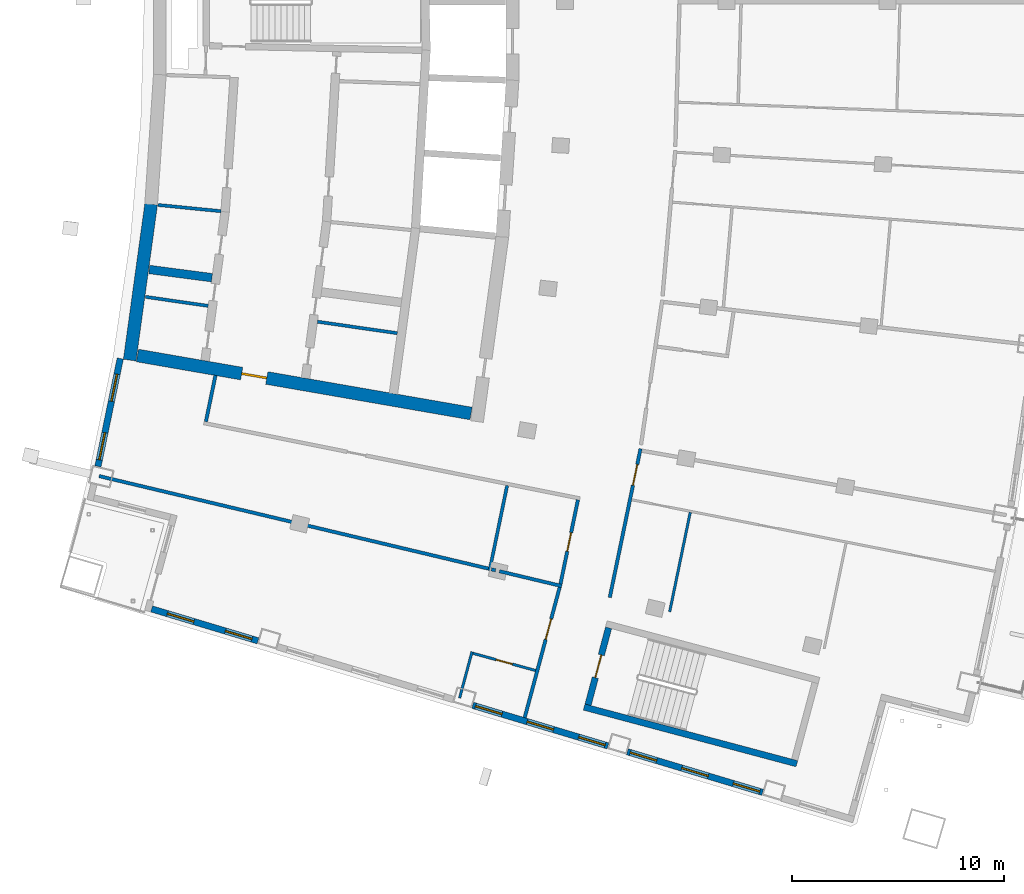
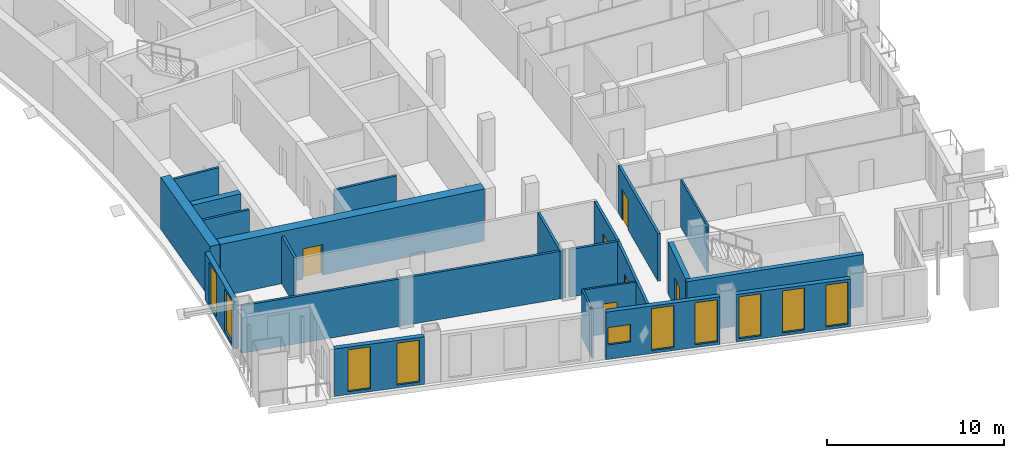
# One storey, part 9 of 19: 23 walls, 10 windows, 6 doors, 16 openings.
"""IFC4 building model written with IfcOpenShell, lengths in metres."""

from ifc_helpers import new_model, si_unit, direction, frame, frame_2d, origin, place, context, subcontext, project, spatial, rectangle, extrude, material, layer, layer_set, type_object, element, fill, save


model = new_model("IFC4")

# Units and contexts
model_context = context("Model", 3, precision=1e-05, world=origin(), true_north=direction((0.0, 1.0)))
body_context = subcontext(model_context, "Body", "Model", "MODEL_VIEW")
ifc_project = project(units=[si_unit("LENGTHUNIT", "METRE"), si_unit("AREAUNIT", "SQUARE_METRE"), si_unit("VOLUMEUNIT", "CUBIC_METRE"), si_unit("PLANEANGLEUNIT", "RADIAN"), si_unit("MASSUNIT", "GRAM", prefix="KILO")], contexts=[model_context])

# Site, building, storey
site_placement = place(None, origin())
site = spatial("IfcSite", under=ifc_project, at=site_placement, CompositionType="ELEMENT")
building_placement = place(site_placement, origin())
building = spatial("IfcBuilding", under=site, at=building_placement, Name="Alderwake Tower", CompositionType="ELEMENT")
storey_placement = place(building_placement, frame((0.0, 0.0, 196.39990234375)))
storey = spatial("IfcBuildingStorey", under=building, at=storey_placement, Name="L48", CompositionType="ELEMENT", Elevation=196.39990234375)

# Walls
ifc_material_1 = material(Name="Gypsum shaft wall system, rated")
ifc_layer_1 = layer(ifc_material_1, 0.14990234375)
ifc_layer_set_1 = layer_set([ifc_layer_1], Name="Core room partition 150")
wall_type_1 = type_object("IfcWallType", Name="Core room partition 150", PredefinedType="PARTITIONING", material=ifc_layer_set_1)
wall_1_placement = place(storey_placement, frame((16.064453125, 47.125, 0.0), z_axis=(0.0, 0.0, 1.0), x_axis=(0.989723849993, -0.142991960454, 0.0)))
element("IfcWall", 1, at=wall_1_placement, inside=storey, type_object=wall_type_1, Name="CW/L48/PR-150_+0", PredefinedType="PARTITIONING", context=body_context, shape_type="SweptSolid", body=[
    extrude(rectangle(XDim=2.98095703125, YDim=0.14990234375, at=frame_2d((1.490478515625, 0.0))), origin(), (0.0, 0.0, 1.0), 3.280029296875),
])
wall_2_placement = place(storey_placement, frame((24.158203125, 45.9560546875, 0.0), z_axis=(0.0, 0.0, 1.0), x_axis=(0.989724412664, -0.142988065858, 0.0)))
element("IfcWall", 2, at=wall_2_placement, inside=storey, type_object=wall_type_1, Name="CW/L48/PR-150_+86", PredefinedType="PARTITIONING", context=body_context, shape_type="SweptSolid", body=[
    extrude(rectangle(XDim=3.795654296875, YDim=0.14990234375, at=frame_2d((1.89794921875, 0.0))), origin(), (0.0, 0.0, 1.0), 3.280029296875),
])
wall_3_placement = place(storey_placement, frame((16.659423828125, 51.448486328125, 0.0), z_axis=(0.0, 0.0, 1.0), x_axis=(0.995154514796, -0.098323403527, 0.0)))
element("IfcWall", 3, at=wall_3_placement, inside=storey, type_object=wall_type_1, Name="CW/L48/PR-103_+0", PredefinedType="PARTITIONING", context=body_context, shape_type="SweptSolid", body=[
    extrude(rectangle(XDim=2.9697265625, YDim=0.14990234375, at=frame_2d((1.48486328125, 0.0))), origin(), (0.0, 0.0, 1.0), 3.280029296875),
])
ifc_material_2 = material(Name="Concrete C70/85", Category="concrete")
ifc_layer_2 = layer(ifc_material_2, 0.60009765625)
ifc_layer_set_2 = layer_set([ifc_layer_2], Name="Core wall outer 600 C70-85")
wall_type_2 = type_object("IfcWallType", Name="Core wall outer 600 C70-85", PredefinedType="SHEAR", material=ifc_layer_set_2)
wall_4_placement = place(storey_placement, frame((15.321533203125, 44.146240234375, 0.0), z_axis=(0.0, 0.0, 1.0), x_axis=(0.136316498814, 0.990665338119, 0.0)))
element("IfcWall", 4, at=wall_4_placement, inside=storey, type_object=wall_type_2, Name="Core wall CW.037", PredefinedType="SHEAR", context=body_context, shape_type="SweptSolid", body=[
    extrude(rectangle(XDim=7.41455078125, YDim=0.60009765625, at=frame_2d((3.707275390625, 0.0))), origin(), (0.0, 0.0, 1.0), 3.60009765625),
])

# Wall, opening, door
wall_5_placement = place(storey_placement, frame((31.386962890625, 41.63525390625, 0.0), z_axis=(0.0, 0.0, 1.0), x_axis=(-0.985223108003, 0.171275881127, 0.0)))
wall_5 = element("IfcWall", 5, at=wall_5_placement, inside=storey, type_object=wall_type_2, Name="Core wall CW.072", PredefinedType="SHEAR", context=body_context, shape_type="SweptSolid", body=[
    extrude(rectangle(XDim=15.937744140625, YDim=0.60009765625, at=frame_2d((7.96875, 0.0))), origin(), (0.0, 0.0, 1.0), 3.60009765625),
])
opening_1_placement = place(wall_5_placement, frame((9.757568359375, 0.0, 0.0)))
opening_1 = element("IfcOpeningElement", 6, at=opening_1_placement, cuts=wall_5, Name="Opening C003", PredefinedType="OPENING", context=body_context, shape_type="SweptSolid", body=[
    extrude(rectangle(XDim=1.199951171875, YDim=2.10009765625, at=frame_2d((0.60009765625, 1.050048828125))), frame((0.0, 0.31005859375, 0.0), z_axis=(0.0, -1.0, 0.0), x_axis=(1.0, 0.0, 0.0)), (0.0, 0.0, 1.0), 0.6201171875),
])
ifc_material_3 = material(Name="Steel-framed fire door leaf", Category="steel")
door_type_1 = type_object("IfcDoorType", Name="Core lobby exit door 1200 fire-rated", OperationType="SINGLE_SWING_LEFT", PredefinedType="DOOR", material=ifc_material_3)
door_1_placement = place(opening_1_placement, origin())
door_1 = element("IfcDoor", 7, at=door_1_placement, inside=storey, type_object=door_type_1, Name="Lobby door", OperationType="SINGLE_SWING_LEFT", OverallHeight=2.10009765625, OverallWidth=1.199951171875, PredefinedType="DOOR", context=body_context, shape_type="SweptSolid", body=[
    extrude(rectangle(XDim=1.199951171875, YDim=2.10009765625, at=frame_2d((0.60009765625, 1.050048828125))), frame((0.0, 0.050048828125, 0.0), z_axis=(0.0, -1.0, 0.0), x_axis=(1.0, 0.0, 0.0)), (0.0, 0.0, 1.0), 0.10009765625),
])
fill(opening_1, door_1)

# Walls
ifc_material_4 = material(Name="Concrete C70/85", Category="concrete")
ifc_layer_3 = layer(ifc_material_4, 0.39990234375)
ifc_layer_set_3 = layer_set([ifc_layer_3], Name="Core wall spine 400 C70-85")
wall_type_3 = type_object("IfcWallType", Name="Core wall spine 400 C70-85", PredefinedType="SHEAR", material=ifc_layer_set_3)
wall_6_placement = place(storey_placement, frame((16.24169921875, 48.412353515625, 0.0), z_axis=(0.0, 0.0, 1.0), x_axis=(0.991548658387, -0.129735338481, 0.0)))
element("IfcWall", 8, at=wall_6_placement, inside=storey, type_object=wall_type_3, Name="Core wall CW.067", PredefinedType="SHEAR", context=body_context, shape_type="SweptSolid", body=[
    extrude(rectangle(XDim=2.97705078125, YDim=0.39990234375, at=frame_2d((1.488525390625, 0.0))), origin(), (0.0, 0.0, 1.0), 3.60009765625),
])
ifc_material_5 = material(Name="Concrete C70/85", Category="concrete")
ifc_layer_4 = layer(ifc_material_5, 0.300048828125)
ifc_layer_set_4 = layer_set([ifc_layer_4], Name="Core wall stair enclosure 300 C70-85")
wall_type_4 = type_object("IfcWallType", Name="Core wall stair enclosure 300 C70-85", PredefinedType="SHEAR", material=ifc_layer_set_4)
wall_7_placement = place(storey_placement, frame((36.71142578125, 27.817626953125, 0.0), z_axis=(0.0, 0.0, 1.0), x_axis=(0.966309214305, -0.257383958996, 0.0)))
element("IfcWall", 9, at=wall_7_placement, inside=storey, type_object=wall_type_4, Name="Core wall CW.088", PredefinedType="SHEAR", context=body_context, shape_type="SweptSolid", body=[
    extrude(rectangle(XDim=10.360107421875, YDim=0.300048828125, at=frame_2d((5.18017578125, 0.0))), origin(), (0.0, 0.0, 1.0), 3.60009765625),
])

# Wall, opening, door
wall_8_placement = place(storey_placement, frame((36.89501953125, 27.923828125, 0.0), z_axis=(0.0, 0.0, 1.0), x_axis=(0.257350630826, 0.966318090907, 0.0)))
wall_8 = element("IfcWall", 10, at=wall_8_placement, inside=storey, type_object=wall_type_4, Name="Core wall CW.087", PredefinedType="SHEAR", context=body_context, shape_type="SweptSolid", body=[
    extrude(rectangle(XDim=3.75, YDim=0.300048828125, at=frame_2d((1.875, 0.0))), origin(), (0.0, 0.0, 1.0), 3.60009765625),
])
opening_2_placement = place(wall_8_placement, frame((1.324951171875, 0.0, 0.0)))
opening_2 = element("IfcOpeningElement", 11, at=opening_2_placement, cuts=wall_8, Name="Opening C065", PredefinedType="OPENING", context=body_context, shape_type="SweptSolid", body=[
    extrude(rectangle(XDim=1.10009765625, YDim=2.10009765625, at=frame_2d((0.550048828125, 1.050048828125))), frame((0.0, 0.159912109375, 0.0), z_axis=(0.0, -1.0, 0.0), x_axis=(1.0, 0.0, 0.0)), (0.0, 0.0, 1.0), 0.320068359375),
])
ifc_material_6 = material(Name="Steel-framed fire door leaf", Category="steel")
door_type_2 = type_object("IfcDoorType", Name="Core stair door 1100 fire-rated", OperationType="SINGLE_SWING_LEFT", PredefinedType="DOOR", material=ifc_material_6)
door_2_placement = place(opening_2_placement, origin())
door_2 = element("IfcDoor", 12, at=door_2_placement, inside=storey, type_object=door_type_2, Name="Stair door", OperationType="SINGLE_SWING_RIGHT", OverallHeight=2.10009765625, OverallWidth=1.10009765625, PredefinedType="DOOR", context=body_context, shape_type="SweptSolid", body=[
    extrude(rectangle(XDim=1.10009765625, YDim=2.10009765625, at=frame_2d((0.550048828125, 1.050048828125))), frame((0.0, 0.02490234375, 0.0), z_axis=(0.0, -1.0, 0.0), x_axis=(1.0, 0.0, 0.0)), (0.0, 0.0, 1.0), 0.050048828125),
])
fill(opening_2, door_2)

# Walls
ifc_material_7 = material(Name="Gypsum board on metal studs, rated")
ifc_layer_5 = layer(ifc_material_7, 0.159912109375)
ifc_layer_set_5 = layer_set([ifc_layer_5], Name="Corridor wall 160")
wall_type_5 = type_object("IfcWallType", Name="Corridor wall 160", PredefinedType="PARTITIONING", material=ifc_layer_set_5)
wall_9_placement = place(storey_placement, frame((13.884033203125, 38.68798828125, 0.0), z_axis=(0.0, 0.0, 1.0), x_axis=(0.972897690171, -0.231235993004, 0.0)))
element("IfcWall", 13, at=wall_9_placement, inside=storey, type_object=wall_type_5, Name="WL/L48/W08", PredefinedType="PARTITIONING", context=body_context, shape_type="SweptSolid", body=[
    extrude(rectangle(XDim=18.8271484375, YDim=0.159912109375, at=frame_2d((9.41357421875, 0.0))), origin(), (0.0, 0.0, 1.0), 3.280029296875),
])
wall_10_placement = place(storey_placement, frame((19.35888671875, 43.430908203125, 0.0), z_axis=(0.0, 0.0, 1.0), x_axis=(-0.202554916658, -0.979270905183, 0.0)))
element("IfcWall", 14, at=wall_10_placement, inside=storey, type_object=wall_type_5, Name="WL/L48/W10", PredefinedType="PARTITIONING", context=body_context, shape_type="SweptSolid", body=[
    extrude(rectangle(XDim=2.229736328125, YDim=0.159912109375, at=frame_2d((1.11474609375, 0.0))), origin(), (0.0, 0.0, 1.0), 3.280029296875),
])
wall_11_placement = place(storey_placement, frame((32.343994140625, 34.300048828125, 0.0), z_axis=(0.0, 0.0, 1.0), x_axis=(0.974391195695, -0.224859506699, 0.0)))
element("IfcWall", 15, at=wall_11_placement, inside=storey, type_object=wall_type_5, Name="WL/L48/W12", PredefinedType="PARTITIONING", context=body_context, shape_type="SweptSolid", body=[
    extrude(rectangle(XDim=0.205322265625, YDim=0.159912109375, at=frame_2d((0.1025390625, 0.0))), origin(), (0.0, 0.0, 1.0), 3.280029296875),
])
wall_12_placement = place(storey_placement, frame((32.725341796875, 34.210205078125, 0.0), z_axis=(0.0, 0.0, 1.0), x_axis=(0.972838360224, -0.231485474442, 0.0)))
element("IfcWall", 16, at=wall_12_placement, inside=storey, type_object=wall_type_5, Name="WL/L48/W13", PredefinedType="PARTITIONING", context=body_context, shape_type="SweptSolid", body=[
    extrude(rectangle(XDim=3.01416015625, YDim=0.159912109375, at=frame_2d((1.507080078125, 0.0))), origin(), (0.0, 0.0, 1.0), 3.280029296875),
])

# Wall, opening, door
wall_13_placement = place(storey_placement, frame((33.912109375, 27.321044921875, 0.0), z_axis=(0.0, 0.0, 1.0), x_axis=(0.259370874835, 0.965777794986, 0.0)))
wall_13 = element("IfcWall", 17, at=wall_13_placement, inside=storey, type_object=wall_type_5, Name="WL/L48/W15", PredefinedType="PARTITIONING", context=body_context, shape_type="SweptSolid", body=[
    extrude(rectangle(XDim=6.349853515625, YDim=0.159912109375, at=frame_2d((3.1748046875, 0.0))), origin(), (0.0, 0.0, 1.0), 3.280029296875),
])
opening_3_placement = place(wall_13_placement, frame((3.811279296875, 0.0, 0.0)))
opening_3 = element("IfcOpeningElement", 18, at=opening_3_placement, cuts=wall_13, Name="Opening R13-U08.1", PredefinedType="OPENING", context=body_context, shape_type="SweptSolid", body=[
    extrude(rectangle(XDim=1.0, YDim=2.10009765625, at=frame_2d((0.5, 1.050048828125))), frame((0.0, 0.08984375, 0.0), z_axis=(0.0, -1.0, 0.0), x_axis=(1.0, 0.0, 0.0)), (0.0, 0.0, 1.0), 0.179931640625),
])
ifc_material_8 = material(Name="Solid timber leaf in steel frame", Category="steel")
door_type_3 = type_object("IfcDoorType", Name="Flat entrance door 1000 fire-rated", OperationType="SINGLE_SWING_LEFT", PredefinedType="DOOR", material=ifc_material_8)
door_3_placement = place(opening_3_placement, origin())
door_3 = element("IfcDoor", 19, at=door_3_placement, inside=storey, type_object=door_type_3, Name="DR/L48/U08.1", OperationType="SINGLE_SWING_LEFT", OverallHeight=2.10009765625, OverallWidth=1.0, PredefinedType="DOOR", context=body_context, shape_type="SweptSolid", body=[
    extrude(rectangle(XDim=1.0, YDim=2.10009765625, at=frame_2d((0.5, 1.050048828125))), frame((0.0, 0.02490234375, 0.0), z_axis=(0.0, -1.0, 0.0), x_axis=(1.0, 0.0, 0.0)), (0.0, 0.0, 1.0), 0.050048828125),
])
fill(opening_3, door_3)

wall_14_placement = place(storey_placement, frame((35.59619140625, 33.609375, 0.0), z_axis=(0.0, 0.0, 1.0), x_axis=(0.203245920818, 0.979127721838, 0.0)))
wall_14 = element("IfcWall", 20, at=wall_14_placement, inside=storey, type_object=wall_type_5, Name="WL/L48/W18", PredefinedType="PARTITIONING", context=body_context, shape_type="SweptSolid", body=[
    extrude(rectangle(XDim=4.046875, YDim=0.159912109375, at=frame_2d((2.0234375, 0.0))), origin(), (0.0, 0.0, 1.0), 3.280029296875),
])
opening_4_placement = place(wall_14_placement, frame((1.573486328125, 0.0, 0.0)))
opening_4 = element("IfcOpeningElement", 21, at=opening_4_placement, cuts=wall_14, Name="Opening R13-SBS2", PredefinedType="OPENING", context=body_context, shape_type="SweptSolid", body=[
    extrude(rectangle(XDim=0.89990234375, YDim=2.10009765625, at=frame_2d((0.449951171875, 1.050048828125))), frame((0.0, 0.08984375, 0.0), z_axis=(0.0, -1.0, 0.0), x_axis=(1.0, 0.0, 0.0)), (0.0, 0.0, 1.0), 0.179931640625),
])
ifc_material_9 = material(Name="Painted timber leaf", Category="wood")
door_type_4 = type_object("IfcDoorType", Name="Room door 900", OperationType="SINGLE_SWING_LEFT", PredefinedType="DOOR", material=ifc_material_9)
door_4_placement = place(opening_4_placement, origin())
door_4 = element("IfcDoor", 22, at=door_4_placement, inside=storey, type_object=door_type_4, Name="DR/L48/SBS2", OperationType="SINGLE_SWING_LEFT", OverallHeight=2.10009765625, OverallWidth=0.89990234375, PredefinedType="DOOR", context=body_context, shape_type="SweptSolid", body=[
    extrude(rectangle(XDim=0.89990234375, YDim=2.10009765625, at=frame_2d((0.449951171875, 1.050048828125))), frame((0.0, 0.02490234375, 0.0), z_axis=(0.0, -1.0, 0.0), x_axis=(1.0, 0.0, 0.0)), (0.0, 0.0, 1.0), 0.050048828125),
])
fill(opening_4, door_4)

wall_15_placement = place(storey_placement, frame((39.3642578125, 39.975341796875, 0.0), z_axis=(0.0, 0.0, 1.0), x_axis=(-0.202490391407, -0.979284249535, 0.0)))
wall_15 = element("IfcWall", 23, at=wall_15_placement, inside=storey, type_object=wall_type_5, Name="WL/L48/W20", PredefinedType="PARTITIONING", context=body_context, shape_type="SweptSolid", body=[
    extrude(rectangle(XDim=7.147216796875, YDim=0.159912109375, at=frame_2d((3.57373046875, 0.0))), origin(), (0.0, 0.0, 1.0), 3.280029296875),
])
opening_5_placement = place(wall_15_placement, frame((0.7568359375, 0.0, 0.0)))
opening_5 = element("IfcOpeningElement", 24, at=opening_5_placement, cuts=wall_15, Name="Opening R13-U03.2", PredefinedType="OPENING", context=body_context, shape_type="SweptSolid", body=[
    extrude(rectangle(XDim=1.0, YDim=2.10009765625, at=frame_2d((0.5, 1.050048828125))), frame((0.0, 0.08984375, 0.0), z_axis=(0.0, -1.0, 0.0), x_axis=(1.0, 0.0, 0.0)), (0.0, 0.0, 1.0), 0.179931640625),
])
door_5_placement = place(opening_5_placement, origin())
door_5 = element("IfcDoor", 25, at=door_5_placement, inside=storey, type_object=door_type_3, Name="DR/L48/U03.2", OperationType="SINGLE_SWING_LEFT", OverallHeight=2.10009765625, OverallWidth=1.0, PredefinedType="DOOR", context=body_context, shape_type="SweptSolid", body=[
    extrude(rectangle(XDim=1.0, YDim=2.10009765625, at=frame_2d((0.5, 1.050048828125))), frame((0.0, 0.02490234375, 0.0), z_axis=(0.0, -1.0, 0.0), x_axis=(1.0, 0.0, 0.0)), (0.0, 0.0, 1.0), 0.050048828125),
])
fill(opening_5, door_5)

# Wall, openings, windows
ifc_material_10 = material(Name="Precast concrete C50/60 spandrel panel", Category="concrete")
ifc_layer_6 = layer(ifc_material_10, 0.300048828125)
ifc_layer_set_6 = layer_set([ifc_layer_6], Name="External wall EW1 Precast concrete C50/60 spandrel")
wall_type_6 = type_object("IfcWallType", Name="External wall EW1 Precast concrete C50/60 spandrel", PredefinedType="SOLIDWALL", material=ifc_layer_set_6)
wall_16_placement = place(storey_placement, frame((14.878173828125, 44.223388671875, 0.0), z_axis=(0.0, 0.0, 1.0), x_axis=(-0.202730149235, -0.979234643276, 0.0)))
wall_16 = element("IfcWall", 26, at=wall_16_placement, inside=storey, type_object=wall_type_6, Name="External wall 32", PredefinedType="SOLIDWALL", context=body_context, shape_type="SweptSolid", body=[
    extrude(rectangle(XDim=5.185546875, YDim=0.300048828125, at=frame_2d((2.5927734375, 0.0))), origin(), (0.0, 0.0, 1.0), 3.280029296875),
])
opening_6_placement = place(wall_16_placement, frame((0.75634765625, 0.0, 0.199951171875)))
opening_6 = element("IfcOpeningElement", 27, at=opening_6_placement, cuts=wall_16, Name="Opening W1", PredefinedType="OPENING", context=body_context, shape_type="SweptSolid", body=[
    extrude(rectangle(XDim=1.300048828125, YDim=2.89990234375, at=frame_2d((0.64990234375, 1.449951171875))), frame((0.0, 0.159912109375, 0.0), z_axis=(0.0, -1.0, 0.0), x_axis=(1.0, 0.0, 0.0)), (0.0, 0.0, 1.0), 0.320068359375),
])
opening_7_placement = place(wall_16_placement, frame((3.569091796875, 0.0, 0.199951171875)))
opening_7 = element("IfcOpeningElement", 28, at=opening_7_placement, cuts=wall_16, Name="Opening W1", PredefinedType="OPENING", context=body_context, shape_type="SweptSolid", body=[
    extrude(rectangle(XDim=1.300048828125, YDim=2.89990234375, at=frame_2d((0.64990234375, 1.449951171875))), frame((0.0, 0.159912109375, 0.0), z_axis=(0.0, -1.0, 0.0), x_axis=(1.0, 0.0, 0.0)), (0.0, 0.0, 1.0), 0.320068359375),
])
ifc_material_11 = material(Name="Bronze tinted glass in aluminium frame", Category="aluminium")
window_type_1 = type_object("IfcWindowType", Name="Window W1 tall fixed and vent", PartitioningType="DOUBLE_PANEL_VERTICAL", PredefinedType="WINDOW", material=ifc_material_11)
window_1_placement = place(opening_6_placement, origin())
window_1 = element("IfcWindow", 29, at=window_1_placement, inside=storey, type_object=window_type_1, Name="Window W1 tall fixed and vent", OverallHeight=2.89990234375, OverallWidth=1.300048828125, PartitioningType="DOUBLE_PANEL_VERTICAL", PredefinedType="WINDOW", context=body_context, shape_type="SweptSolid", body=[
    extrude(rectangle(XDim=1.300048828125, YDim=2.89990234375, at=frame_2d((0.64990234375, 1.449951171875))), frame((0.0, 0.030029296875, 0.0), z_axis=(0.0, -1.0, 0.0), x_axis=(1.0, 0.0, 0.0)), (0.0, 0.0, 1.0), 0.06005859375),
])
fill(opening_6, window_1)
window_2_placement = place(opening_7_placement, origin())
window_2 = element("IfcWindow", 30, at=window_2_placement, inside=storey, type_object=window_type_1, Name="Window W1 tall fixed and vent", OverallHeight=2.89990234375, OverallWidth=1.300048828125, PartitioningType="DOUBLE_PANEL_VERTICAL", PredefinedType="WINDOW", context=body_context, shape_type="SweptSolid", body=[
    extrude(rectangle(XDim=1.300048828125, YDim=2.89990234375, at=frame_2d((0.64990234375, 1.449951171875))), frame((0.0, 0.030029296875, 0.0), z_axis=(0.0, -1.0, 0.0), x_axis=(1.0, 0.0, 0.0)), (0.0, 0.0, 1.0), 0.06005859375),
])
fill(opening_7, window_2)

ifc_material_12 = material(Name="Bronze metal cladding on lightweight framing")
ifc_layer_7 = layer(ifc_material_12, 0.300048828125)
ifc_layer_set_7 = layer_set([ifc_layer_7], Name="External wall EW2 bronze metal cladding")
wall_type_7 = type_object("IfcWallType", Name="External wall EW2 bronze metal cladding", PredefinedType="SOLIDWALL", material=ifc_layer_set_7)
wall_17_placement = place(storey_placement, frame((16.352783203125, 32.4375, 0.0), z_axis=(0.0, 0.0, 1.0), x_axis=(0.95777225046, -0.287527939944, 0.0)))
wall_17 = element("IfcWall", 31, at=wall_17_placement, inside=storey, type_object=wall_type_7, Name="External wall 4", PredefinedType="SOLIDWALL", context=body_context, shape_type="SweptSolid", body=[
    extrude(rectangle(XDim=5.224609375, YDim=0.300048828125, at=frame_2d((2.6123046875, 0.0))), origin(), (0.0, 0.0, 1.0), 3.280029296875),
])
opening_8_placement = place(wall_17_placement, frame((0.775390625, 0.0, 0.199951171875)))
opening_8 = element("IfcOpeningElement", 32, at=opening_8_placement, cuts=wall_17, Name="Opening W1", PredefinedType="OPENING", context=body_context, shape_type="SweptSolid", body=[
    extrude(rectangle(XDim=1.300048828125, YDim=2.89990234375, at=frame_2d((0.64990234375, 1.449951171875))), frame((0.0, 0.159912109375, 0.0), z_axis=(0.0, -1.0, 0.0), x_axis=(1.0, 0.0, 0.0)), (0.0, 0.0, 1.0), 0.320068359375),
])
opening_9_placement = place(wall_17_placement, frame((3.626220703125, 0.0, 0.199951171875)))
opening_9 = element("IfcOpeningElement", 33, at=opening_9_placement, cuts=wall_17, Name="Opening W1", PredefinedType="OPENING", context=body_context, shape_type="SweptSolid", body=[
    extrude(rectangle(XDim=1.300048828125, YDim=2.89990234375, at=frame_2d((0.64990234375, 1.449951171875))), frame((0.0, 0.159912109375, 0.0), z_axis=(0.0, -1.0, 0.0), x_axis=(1.0, 0.0, 0.0)), (0.0, 0.0, 1.0), 0.320068359375),
])
window_3_placement = place(opening_8_placement, origin())
window_3 = element("IfcWindow", 34, at=window_3_placement, inside=storey, type_object=window_type_1, Name="Window W1 tall fixed and vent", OverallHeight=2.89990234375, OverallWidth=1.300048828125, PartitioningType="DOUBLE_PANEL_VERTICAL", PredefinedType="WINDOW", context=body_context, shape_type="SweptSolid", body=[
    extrude(rectangle(XDim=1.300048828125, YDim=2.89990234375, at=frame_2d((0.64990234375, 1.449951171875))), frame((0.0, 0.030029296875, 0.0), z_axis=(0.0, -1.0, 0.0), x_axis=(1.0, 0.0, 0.0)), (0.0, 0.0, 1.0), 0.06005859375),
])
fill(opening_8, window_3)
window_4_placement = place(opening_9_placement, origin())
window_4 = element("IfcWindow", 35, at=window_4_placement, inside=storey, type_object=window_type_1, Name="Window W1 tall fixed and vent", OverallHeight=2.89990234375, OverallWidth=1.300048828125, PartitioningType="DOUBLE_PANEL_VERTICAL", PredefinedType="WINDOW", context=body_context, shape_type="SweptSolid", body=[
    extrude(rectangle(XDim=1.300048828125, YDim=2.89990234375, at=frame_2d((0.64990234375, 1.449951171875))), frame((0.0, 0.030029296875, 0.0), z_axis=(0.0, -1.0, 0.0), x_axis=(1.0, 0.0, 0.0)), (0.0, 0.0, 1.0), 0.06005859375),
])
fill(opening_9, window_4)

wall_18_placement = place(storey_placement, frame((31.465087890625, 27.900390625, 0.0), z_axis=(0.0, 0.0, 1.0), x_axis=(0.957767627806, -0.287543337825, 0.0)))
wall_18 = element("IfcWall", 36, at=wall_18_placement, inside=storey, type_object=wall_type_7, Name="External wall 6", PredefinedType="SOLIDWALL", context=body_context, shape_type="SweptSolid", body=[
    extrude(rectangle(XDim=6.646484375, YDim=0.300048828125, at=frame_2d((3.3232421875, 0.0))), origin(), (0.0, 0.0, 1.0), 3.280029296875),
])
opening_10_placement = place(wall_18_placement, frame((0.139892578125, 0.0, 1.0)))
opening_10 = element("IfcOpeningElement", 37, at=opening_10_placement, cuts=wall_18, Name="Opening W2", PredefinedType="OPENING", context=body_context, shape_type="SweptSolid", body=[
    extrude(rectangle(XDim=1.300048828125, YDim=1.199951171875, at=frame_2d((0.64990234375, 0.60009765625))), frame((0.0, 0.159912109375, 0.0), z_axis=(0.0, -1.0, 0.0), x_axis=(1.0, 0.0, 0.0)), (0.0, 0.0, 1.0), 0.320068359375),
])
opening_11_placement = place(wall_18_placement, frame((2.673095703125, 0.0, 0.199951171875)))
opening_11 = element("IfcOpeningElement", 38, at=opening_11_placement, cuts=wall_18, Name="Opening W1", PredefinedType="OPENING", context=body_context, shape_type="SweptSolid", body=[
    extrude(rectangle(XDim=1.300048828125, YDim=2.89990234375, at=frame_2d((0.64990234375, 1.449951171875))), frame((0.0, 0.159912109375, 0.0), z_axis=(0.0, -1.0, 0.0), x_axis=(1.0, 0.0, 0.0)), (0.0, 0.0, 1.0), 0.320068359375),
])
opening_12_placement = place(wall_18_placement, frame((5.20654296875, 0.0, 0.199951171875)))
opening_12 = element("IfcOpeningElement", 39, at=opening_12_placement, cuts=wall_18, Name="Opening W1", PredefinedType="OPENING", context=body_context, shape_type="SweptSolid", body=[
    extrude(rectangle(XDim=1.300048828125, YDim=2.89990234375, at=frame_2d((0.64990234375, 1.449951171875))), frame((0.0, 0.159912109375, 0.0), z_axis=(0.0, -1.0, 0.0), x_axis=(1.0, 0.0, 0.0)), (0.0, 0.0, 1.0), 0.320068359375),
])
window_5_placement = place(opening_11_placement, origin())
window_5 = element("IfcWindow", 40, at=window_5_placement, inside=storey, type_object=window_type_1, Name="Window W1 tall fixed and vent", OverallHeight=2.89990234375, OverallWidth=1.300048828125, PartitioningType="DOUBLE_PANEL_VERTICAL", PredefinedType="WINDOW", context=body_context, shape_type="SweptSolid", body=[
    extrude(rectangle(XDim=1.300048828125, YDim=2.89990234375, at=frame_2d((0.64990234375, 1.449951171875))), frame((0.0, 0.030029296875, 0.0), z_axis=(0.0, -1.0, 0.0), x_axis=(1.0, 0.0, 0.0)), (0.0, 0.0, 1.0), 0.06005859375),
])
fill(opening_11, window_5)
window_6_placement = place(opening_12_placement, origin())
window_6 = element("IfcWindow", 41, at=window_6_placement, inside=storey, type_object=window_type_1, Name="Window W1 tall fixed and vent", OverallHeight=2.89990234375, OverallWidth=1.300048828125, PartitioningType="DOUBLE_PANEL_VERTICAL", PredefinedType="WINDOW", context=body_context, shape_type="SweptSolid", body=[
    extrude(rectangle(XDim=1.300048828125, YDim=2.89990234375, at=frame_2d((0.64990234375, 1.449951171875))), frame((0.0, 0.030029296875, 0.0), z_axis=(0.0, -1.0, 0.0), x_axis=(1.0, 0.0, 0.0)), (0.0, 0.0, 1.0), 0.06005859375),
])
fill(opening_12, window_6)
ifc_material_13 = material(Name="Bronze tinted glass in aluminium frame", Category="aluminium")
window_type_2 = type_object("IfcWindowType", Name="Window W2 kitchen and bath", PartitioningType="SINGLE_PANEL", PredefinedType="WINDOW", material=ifc_material_13)
window_7_placement = place(opening_10_placement, origin())
window_7 = element("IfcWindow", 42, at=window_7_placement, inside=storey, type_object=window_type_2, Name="Window W2 kitchen and bath", OverallHeight=1.199951171875, OverallWidth=1.300048828125, PartitioningType="SINGLE_PANEL", PredefinedType="WINDOW", context=body_context, shape_type="SweptSolid", body=[
    extrude(rectangle(XDim=1.300048828125, YDim=1.199951171875, at=frame_2d((0.64990234375, 0.60009765625))), frame((0.0, 0.030029296875, 0.0), z_axis=(0.0, -1.0, 0.0), x_axis=(1.0, 0.0, 0.0)), (0.0, 0.0, 1.0), 0.06005859375),
])
fill(opening_10, window_7)

wall_19_placement = place(storey_placement, frame((38.744384765625, 25.715087890625, 0.0), z_axis=(0.0, 0.0, 1.0), x_axis=(0.957757511153, -0.287577032861, 0.0)))
wall_19 = element("IfcWall", 43, at=wall_19_placement, inside=storey, type_object=wall_type_7, Name="External wall 7", PredefinedType="SOLIDWALL", context=body_context, shape_type="SweptSolid", body=[
    extrude(rectangle(XDim=6.646484375, YDim=0.300048828125, at=frame_2d((3.3232421875, 0.0))), origin(), (0.0, 0.0, 1.0), 3.280029296875),
])
opening_13_placement = place(wall_19_placement, frame((0.139892578125, 0.0, 0.199951171875)))
opening_13 = element("IfcOpeningElement", 44, at=opening_13_placement, cuts=wall_19, Name="Opening W1", PredefinedType="OPENING", context=body_context, shape_type="SweptSolid", body=[
    extrude(rectangle(XDim=1.300048828125, YDim=2.89990234375, at=frame_2d((0.64990234375, 1.449951171875))), frame((0.0, 0.159912109375, 0.0), z_axis=(0.0, -1.0, 0.0), x_axis=(1.0, 0.0, 0.0)), (0.0, 0.0, 1.0), 0.320068359375),
])
opening_14_placement = place(wall_19_placement, frame((2.673095703125, 0.0, 0.199951171875)))
opening_14 = element("IfcOpeningElement", 45, at=opening_14_placement, cuts=wall_19, Name="Opening W1", PredefinedType="OPENING", context=body_context, shape_type="SweptSolid", body=[
    extrude(rectangle(XDim=1.300048828125, YDim=2.89990234375, at=frame_2d((0.64990234375, 1.449951171875))), frame((0.0, 0.159912109375, 0.0), z_axis=(0.0, -1.0, 0.0), x_axis=(1.0, 0.0, 0.0)), (0.0, 0.0, 1.0), 0.320068359375),
])
opening_15_placement = place(wall_19_placement, frame((5.20654296875, 0.0, 0.199951171875)))
opening_15 = element("IfcOpeningElement", 46, at=opening_15_placement, cuts=wall_19, Name="Opening W1", PredefinedType="OPENING", context=body_context, shape_type="SweptSolid", body=[
    extrude(rectangle(XDim=1.300048828125, YDim=2.89990234375, at=frame_2d((0.64990234375, 1.449951171875))), frame((0.0, 0.159912109375, 0.0), z_axis=(0.0, -1.0, 0.0), x_axis=(1.0, 0.0, 0.0)), (0.0, 0.0, 1.0), 0.320068359375),
])
window_8_placement = place(opening_13_placement, origin())
window_8 = element("IfcWindow", 47, at=window_8_placement, inside=storey, type_object=window_type_1, Name="Window W1 tall fixed and vent", OverallHeight=2.89990234375, OverallWidth=1.300048828125, PartitioningType="DOUBLE_PANEL_VERTICAL", PredefinedType="WINDOW", context=body_context, shape_type="SweptSolid", body=[
    extrude(rectangle(XDim=1.300048828125, YDim=2.89990234375, at=frame_2d((0.64990234375, 1.449951171875))), frame((0.0, 0.030029296875, 0.0), z_axis=(0.0, -1.0, 0.0), x_axis=(1.0, 0.0, 0.0)), (0.0, 0.0, 1.0), 0.06005859375),
])
fill(opening_13, window_8)
window_9_placement = place(opening_14_placement, origin())
window_9 = element("IfcWindow", 48, at=window_9_placement, inside=storey, type_object=window_type_1, Name="Window W1 tall fixed and vent", OverallHeight=2.89990234375, OverallWidth=1.300048828125, PartitioningType="DOUBLE_PANEL_VERTICAL", PredefinedType="WINDOW", context=body_context, shape_type="SweptSolid", body=[
    extrude(rectangle(XDim=1.300048828125, YDim=2.89990234375, at=frame_2d((0.64990234375, 1.449951171875))), frame((0.0, 0.030029296875, 0.0), z_axis=(0.0, -1.0, 0.0), x_axis=(1.0, 0.0, 0.0)), (0.0, 0.0, 1.0), 0.06005859375),
])
fill(opening_14, window_9)
window_10_placement = place(opening_15_placement, origin())
window_10 = element("IfcWindow", 49, at=window_10_placement, inside=storey, type_object=window_type_1, Name="Window W1 tall fixed and vent", OverallHeight=2.89990234375, OverallWidth=1.300048828125, PartitioningType="DOUBLE_PANEL_VERTICAL", PredefinedType="WINDOW", context=body_context, shape_type="SweptSolid", body=[
    extrude(rectangle(XDim=1.300048828125, YDim=2.89990234375, at=frame_2d((0.64990234375, 1.449951171875))), frame((0.0, 0.030029296875, 0.0), z_axis=(0.0, -1.0, 0.0), x_axis=(1.0, 0.0, 0.0)), (0.0, 0.0, 1.0), 0.06005859375),
])
fill(opening_15, window_10)

# Walls
ifc_material_14 = material(Name="Gypsum shaft wall system, rated")
ifc_layer_8 = layer(ifc_material_14, 0.14990234375)
ifc_layer_set_8 = layer_set([ifc_layer_8], Name="Riser and shaft wall 150")
wall_type_8 = type_object("IfcWallType", Name="Riser and shaft wall 150", PredefinedType="PARTITIONING", material=ifc_layer_set_8)
wall_20_placement = place(storey_placement, frame((32.2578125, 34.23876953125, 0.0), z_axis=(0.0, 0.0, 1.0), x_axis=(0.202579923059, 0.979265732462, 0.0)))
element("IfcWall", 50, at=wall_20_placement, inside=storey, type_object=wall_type_8, Name="WL/L48/W04", PredefinedType="PARTITIONING", context=body_context, shape_type="SweptSolid", body=[
    extrude(rectangle(XDim=4.086669921875, YDim=0.14990234375, at=frame_2d((2.04345703125, 0.0))), origin(), (0.0, 0.0, 1.0), 3.280029296875),
])
ifc_material_15 = material(Name="Moisture resistant gypsum board on metal studs")
ifc_layer_9 = layer(ifc_material_15, 0.1201171875)
ifc_layer_set_9 = layer_set([ifc_layer_9], Name="Wet room partition 120")
wall_type_9 = type_object("IfcWallType", Name="Wet room partition 120", PredefinedType="PARTITIONING", material=ifc_layer_set_9)
wall_21_placement = place(storey_placement, frame((31.4345703125, 30.4208984375, 0.0), z_axis=(0.0, 0.0, 1.0), x_axis=(-0.259480612243, -0.965748317042, 0.0)))
element("IfcWall", 51, at=wall_21_placement, inside=storey, type_object=wall_type_9, Name="WL/L48/W31", PredefinedType="PARTITIONING", context=body_context, shape_type="SweptSolid", body=[
    extrude(rectangle(XDim=2.25634765625, YDim=0.1201171875, at=frame_2d((1.128173828125, 0.0))), origin(), (0.0, 0.0, 1.0), 3.280029296875),
])

# Wall, opening, door
wall_22_placement = place(storey_placement, frame((34.42578125, 29.5380859375, 0.0), z_axis=(0.0, 0.0, 1.0), x_axis=(-0.964362903476, 0.264583050097, 0.0)))
wall_22 = element("IfcWall", 52, at=wall_22_placement, inside=storey, type_object=wall_type_9, Name="WL/L48/W33", PredefinedType="PARTITIONING", context=body_context, shape_type="SweptSolid", body=[
    extrude(rectangle(XDim=3.057861328125, YDim=0.1201171875, at=frame_2d((1.52880859375, 0.0))), origin(), (0.0, 0.0, 1.0), 3.280029296875),
])
opening_16_placement = place(wall_22_placement, frame((1.12890625, 0.0, 0.0)))
opening_16 = element("IfcOpeningElement", 53, at=opening_16_placement, cuts=wall_22, Name="Opening R13-U08.2", PredefinedType="OPENING", context=body_context, shape_type="SweptSolid", body=[
    extrude(rectangle(XDim=0.800048828125, YDim=2.10009765625, at=frame_2d((0.39990234375, 1.050048828125))), frame((0.0, 0.070068359375, 0.0), z_axis=(0.0, -1.0, 0.0), x_axis=(1.0, 0.0, 0.0)), (0.0, 0.0, 1.0), 0.14013671875),
])
ifc_material_16 = material(Name="Painted timber leaf", Category="wood")
door_type_5 = type_object("IfcDoorType", Name="Bathroom door 800", OperationType="SINGLE_SWING_LEFT", PredefinedType="DOOR", material=ifc_material_16)
door_6_placement = place(opening_16_placement, origin())
door_6 = element("IfcDoor", 54, at=door_6_placement, inside=storey, type_object=door_type_5, Name="DR/L48/U08.2", OperationType="SINGLE_SWING_LEFT", OverallHeight=2.10009765625, OverallWidth=0.800048828125, PredefinedType="DOOR", context=body_context, shape_type="SweptSolid", body=[
    extrude(rectangle(XDim=0.800048828125, YDim=2.10009765625, at=frame_2d((0.39990234375, 1.050048828125))), frame((0.0, 0.02490234375, 0.0), z_axis=(0.0, -1.0, 0.0), x_axis=(1.0, 0.0, 0.0)), (0.0, 0.0, 1.0), 0.050048828125),
])
fill(opening_16, door_6)

# Wall
wall_23_placement = place(storey_placement, frame((40.737060546875, 32.303955078125, 0.0), z_axis=(0.0, 0.0, 1.0), x_axis=(0.202548156077, 0.979272303535, 0.0)))
element("IfcWall", 55, at=wall_23_placement, inside=storey, type_object=wall_type_9, Name="WL/L48/W34", PredefinedType="PARTITIONING", context=body_context, shape_type="SweptSolid", body=[
    extrude(rectangle(XDim=4.778076171875, YDim=0.1201171875, at=frame_2d((2.38916015625, 0.0))), origin(), (0.0, 0.0, 1.0), 3.280029296875),
])

save(model, "model.ifc")
